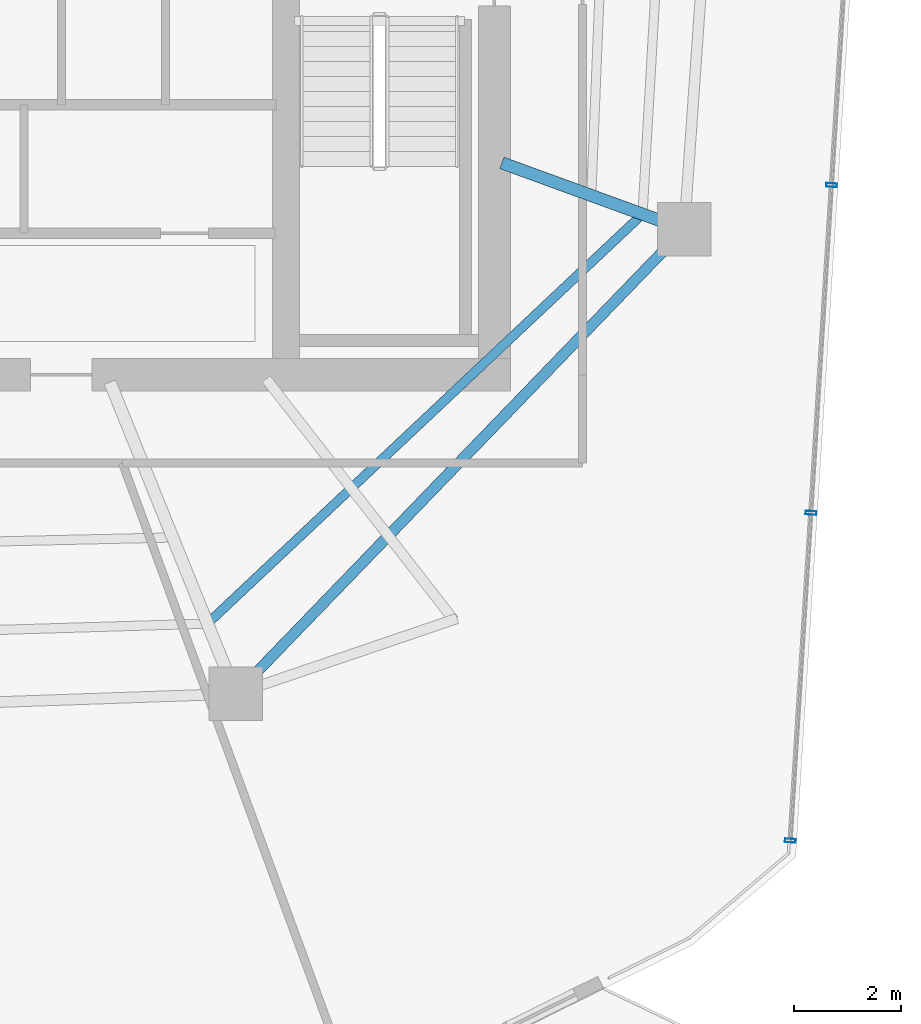
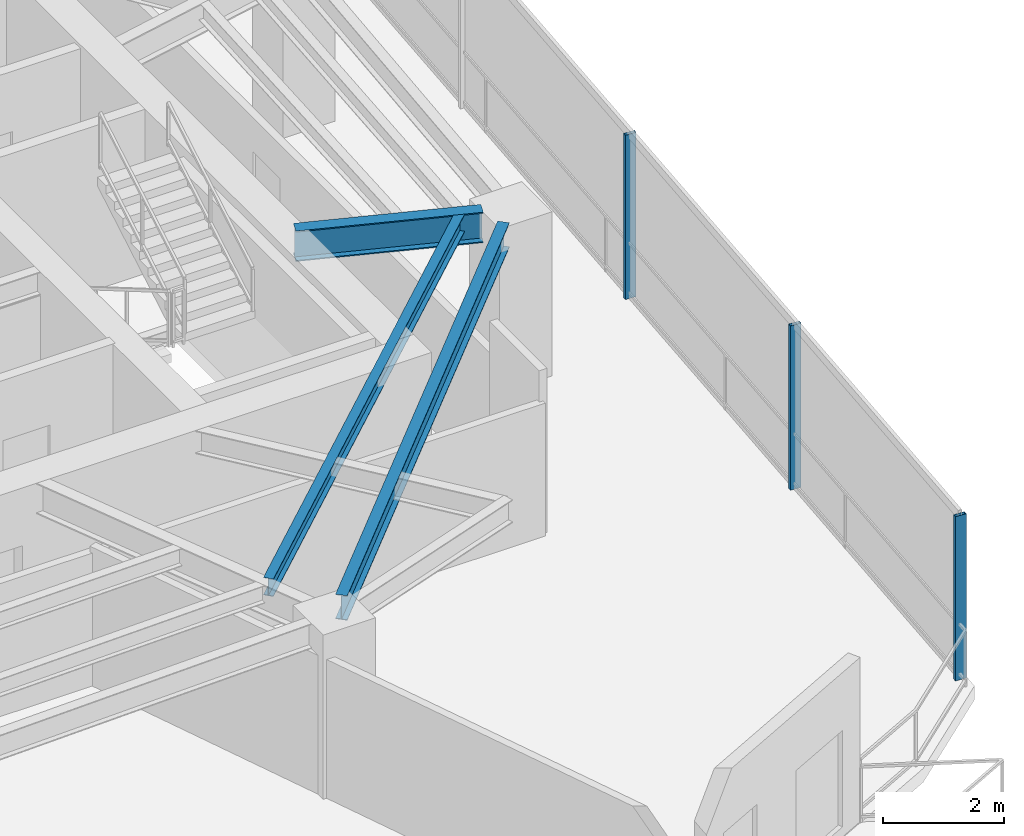
# One storey, part 9 of 21: 3 beams, 3 members, 1 element without a shape of its own.
"""IFC4 building model written with IfcOpenShell, lengths in metres."""

from ifc_helpers import new_model, si_unit, direction, frame, origin, origin_2d, place, context, subcontext, project, spatial, hollow_rectangle, i_section, extrude, material, layer, layer_set, material_profile, profile_set, type_object, element, aggregate, save


model = new_model("IFC4")

# Units and contexts
model_context = context("Model", 3, precision=1e-05, world=origin(), true_north=direction((0.0, 1.0)))
body_context = subcontext(model_context, "Body", "Model", "MODEL_VIEW")
ifc_project = project(units=[si_unit("LENGTHUNIT", "METRE"), si_unit("AREAUNIT", "SQUARE_METRE"), si_unit("VOLUMEUNIT", "CUBIC_METRE"), si_unit("PLANEANGLEUNIT", "RADIAN"), si_unit("MASSUNIT", "GRAM", prefix="KILO")], contexts=[model_context])

# Site, building, storey
site_placement = place(None, origin())
site = spatial("IfcSite", under=ifc_project, at=site_placement, CompositionType="ELEMENT")
building_placement = place(site_placement, origin())
building = spatial("IfcBuilding", under=site, at=building_placement, Name="Qarnah Convention Tower", CompositionType="ELEMENT")
storey_placement = place(building_placement, frame((0.0, 0.0, 165.300048828125)))
storey = spatial("IfcBuildingStorey", under=building, at=storey_placement, Name="L44", CompositionType="ELEMENT", Elevation=165.300048828125)

# Beams
ifc_material_1 = material(Name="Structural steel S355JR", Category="steel")
ifc_material_profile_1 = material_profile(ifc_material_1, i_section(OverallWidth=0.172119140625, OverallDepth=0.35595703125, WebThickness=0.007080078125, FlangeThickness=0.011962890625, at=origin_2d()), Name="W360X51")
ifc_profile_set_1 = profile_set([ifc_material_profile_1], Name="Structural steel S355JR")
beam_type_1 = type_object("IfcBeamType", Name="BM-JST-W360", PredefinedType="JOIST", material=ifc_profile_set_1)
beam_1_placement = place(storey_placement, frame((42.298095703125, 14.006103515625, 3.141845703125), z_axis=(0.728151110704, 0.685416632408, 0.0), x_axis=(-0.685416632408, 0.728151110704, 0.0)))
element("IfcBeam", 1, at=beam_1_placement, inside=storey, type_object=beam_type_1, Name="L44 joist BM-L44-SJST-08", PredefinedType="JOIST", context=body_context, shape_type="SweptSolid", body=[
    extrude(i_section(OverallWidth=0.172119140625, OverallDepth=0.35595703125, WebThickness=0.007080078125, FlangeThickness=0.011962890625, at=origin_2d()), origin(), (0.0, 0.0, 1.0), 10.99755859375),
])
ifc_material_profile_2 = material_profile(ifc_material_1, i_section(OverallWidth=0.22998046875, OverallDepth=0.617919921875, WebThickness=0.012939453125, FlangeThickness=0.02197265625, at=origin_2d()), Name="W610X140")
ifc_profile_set_2 = profile_set([ifc_material_profile_2], Name="Structural steel S355JR")
beam_type_2 = type_object("IfcBeamType", Name="BM-RAD-W610A", PredefinedType="BEAM", material=ifc_profile_set_2)
beam_2_placement = place(storey_placement, frame((47.740966796875, 22.56396484375, 3.010986328125), z_axis=(0.939610124669, -0.342246714549, 0.0), x_axis=(0.342246714549, 0.939610124669, 0.0)))
element("IfcBeam", 2, at=beam_2_placement, inside=storey, type_object=beam_type_2, Name="L44 beam BM-L44-RAD-09", PredefinedType="BEAM", context=body_context, shape_type="SweptSolid", body=[
    extrude(i_section(OverallWidth=0.22998046875, OverallDepth=0.617919921875, WebThickness=0.012939453125, FlangeThickness=0.02197265625, at=origin_2d()), origin(), (0.0, 0.0, 1.0), 3.15234375),
])
ifc_material_profile_3 = material_profile(ifc_material_1, i_section(OverallWidth=0.199951171875, OverallDepth=0.5, WebThickness=0.010009765625, FlangeThickness=0.01611328125, at=origin_2d()), Name="IPE500")
ifc_profile_set_3 = profile_set([ifc_material_profile_3], Name="Structural steel S355JR")
beam_type_3 = type_object("IfcBeamType", Name="BM-SPN-IPE500", PredefinedType="SPANDREL", material=ifc_profile_set_3)
beam_3_placement = place(storey_placement, frame((43.10302734375, 12.98291015625, 3.070068359375), z_axis=(0.694605503013, 0.719390850084, 0.0), x_axis=(-0.719390850084, 0.694605503013, 0.0)))
element("IfcBeam", 3, at=beam_3_placement, inside=storey, type_object=beam_type_3, Name="L44 spandrel BM-L44-SPN-08", PredefinedType="SPANDREL", context=body_context, shape_type="SweptSolid", body=[
    extrude(i_section(OverallWidth=0.199951171875, OverallDepth=0.5, WebThickness=0.010009765625, FlangeThickness=0.01611328125, at=origin_2d()), origin(), (0.0, 0.0, 1.0), 11.10107421875),
])

# Curtain wall, members
ifc_material_2 = material(Name="Tempered Low-E dark glass", Category="glass")
ifc_layer = layer(ifc_material_2, 0.172119140625)
ifc_layer_set = layer_set([ifc_layer], Name="Tempered Low-E dark glass")
curtain_wall_type = type_object("IfcCurtainWallType", Name="CWS-03", PredefinedType="NOTDEFINED", material=ifc_layer_set)
curtain_wall_placement = place(storey_placement, origin())
curtain_wall = element("IfcCurtainWall", 4, at=curtain_wall_placement, inside=storey, type_object=curtain_wall_type, Name="L44 unitised curtain wall CW-L44-F3", PredefinedType="NOTDEFINED")
ifc_material_3 = material(Name="Black anodised aluminium", Category="aluminium")
ifc_material_profile_4 = material_profile(ifc_material_3, hollow_rectangle(XDim=0.070068359375, YDim=0.199951171875, WallThickness=0.0048828125, at=origin_2d()), Name="MUL-70X200")
ifc_profile_set_4 = profile_set([ifc_material_profile_4], Name="Black anodised aluminium")
member_type = type_object("IfcMemberType", Name="MUL-T3", PredefinedType="MULLION", material=ifc_profile_set_4)
member_1_placement = place(storey_placement, frame((53.90966796875, 22.14892578125, 0.0), z_axis=(0.0, 0.0, 1.0), x_axis=(-0.062781496561, -0.998027296064, 0.0)))
member_1 = element("IfcMember", 5, at=member_1_placement, type_object=member_type, Name="CW-L44-F3 mullion 4", PredefinedType="MULLION", context=body_context, shape_type="SweptSolid", body=[
    extrude(hollow_rectangle(XDim=0.070068359375, YDim=0.199951171875, WallThickness=0.0048828125, at=origin_2d()), origin(), (0.0, 0.0, 1.0), 3.320068359375),
])
member_2_placement = place(storey_placement, frame((53.523681640625, 16.01611328125, 0.0), z_axis=(0.0, 0.0, 1.0), x_axis=(-0.062781496561, -0.998027296064, 0.0)))
member_2 = element("IfcMember", 6, at=member_2_placement, type_object=member_type, Name="CW-L44-F3 mullion 5", PredefinedType="MULLION", context=body_context, shape_type="SweptSolid", body=[
    extrude(hollow_rectangle(XDim=0.070068359375, YDim=0.199951171875, WallThickness=0.0048828125, at=origin_2d()), origin(), (0.0, 0.0, 1.0), 3.320068359375),
])
member_3_placement = place(storey_placement, frame((53.137939453125, 9.883056640625, 0.0), z_axis=(0.0, 0.0, 1.0), x_axis=(-0.062781496561, -0.998027296064, 0.0)))
member_3 = element("IfcMember", 7, at=member_3_placement, type_object=member_type, Name="CW-L44-F3 mullion 6", PredefinedType="MULLION", context=body_context, shape_type="SweptSolid", body=[
    extrude(hollow_rectangle(XDim=0.070068359375, YDim=0.199951171875, WallThickness=0.0048828125, at=origin_2d()), origin(), (0.0, 0.0, 1.0), 3.320068359375),
])
aggregate(curtain_wall, [member_1, member_2, member_3])

save(model, "model.ifc")
